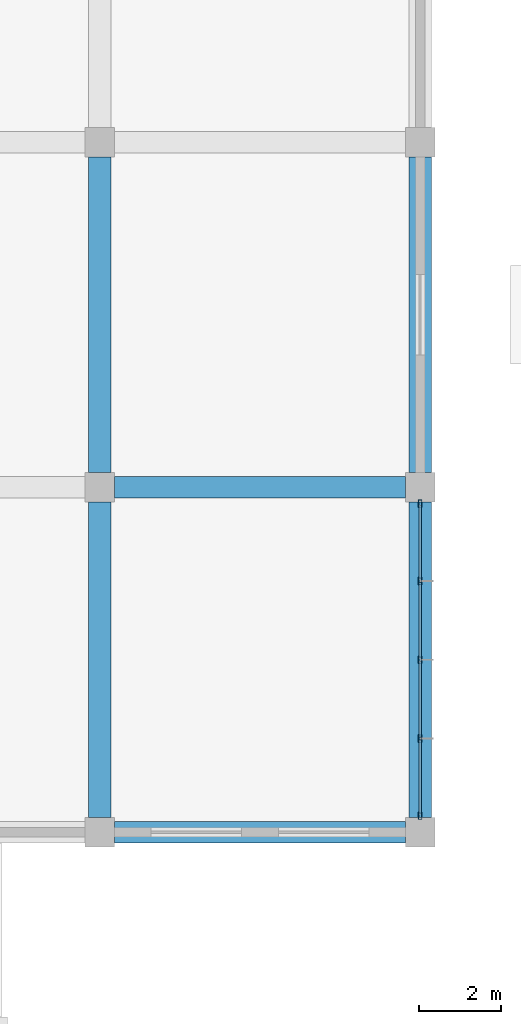
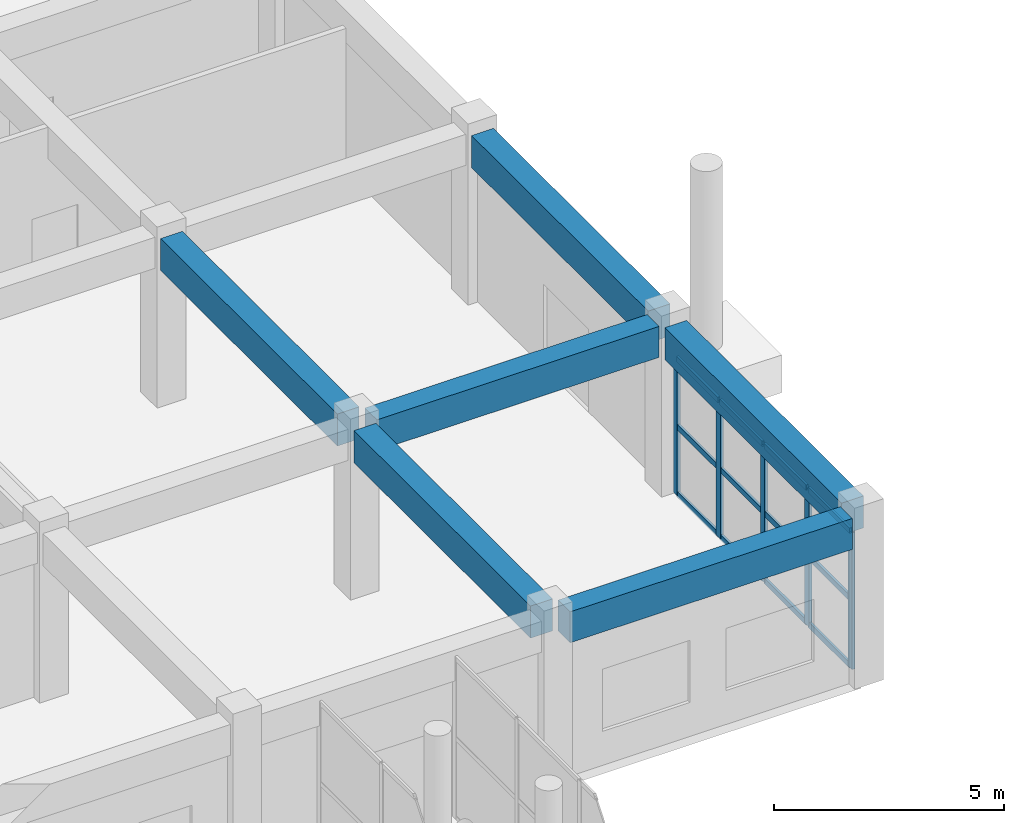
# One storey, part 69 of 139: 17 members, 6 beams, 1 element without a shape of its own.
"""IFC4 building model written with IfcOpenShell, lengths in metres."""

from ifc_helpers import new_model, si_unit, direction, frame, origin, origin_2d, place, context, subcontext, project, spatial, rectangle, hollow_rectangle, extrude, material, layer, layer_set, material_profile, profile_set, type_object, element, aggregate, save


model = new_model("IFC4")

# Units and contexts
model_context = context("Model", 3, precision=1e-05, world=origin(), true_north=direction((0.0, 1.0)))
body_context = subcontext(model_context, "Body", "Model", "MODEL_VIEW")
ifc_project = project(units=[si_unit("LENGTHUNIT", "METRE"), si_unit("AREAUNIT", "SQUARE_METRE"), si_unit("VOLUMEUNIT", "CUBIC_METRE"), si_unit("PLANEANGLEUNIT", "RADIAN"), si_unit("MASSUNIT", "GRAM", prefix="KILO")], contexts=[model_context])

# Site, building, storey
site_placement = place(None, origin())
site = spatial("IfcSite", under=ifc_project, at=site_placement, CompositionType="ELEMENT")
building_placement = place(site_placement, origin())
building = spatial("IfcBuilding", under=site, at=building_placement, Name="Zizhar Promenade General Hospital", CompositionType="ELEMENT")
storey_placement = place(building_placement, origin())
storey = spatial("IfcBuildingStorey", under=building, at=storey_placement, Name="L00", CompositionType="ELEMENT", Elevation=0.0)

# Beams
ifc_material_1 = material(Name="Concrete C35/45", Category="concrete")
ifc_material_profile_1 = material_profile(ifc_material_1, rectangle(XDim=0.52001953125, YDim=0.820068359375, at=origin_2d()))
ifc_profile_set_1 = profile_set([ifc_material_profile_1], Name="Concrete C35/45")
beam_type_1 = type_object("IfcBeamType", Name="BM-RC-520x820", PredefinedType="BEAM", material=ifc_profile_set_1)
for number, where, z_axis, x_axis, name in (
    (1, (187.56005859375, 42.0, 4.06005859375), (1.0, 0.0, 0.0), (0.0, 1.0, 0.0), "Grid Beam X L00 (24-5)"),
    (2, (187.56005859375, 50.39990234375, 4.06005859375), (1.0, 0.0, 0.0), (0.0, 1.0, 0.0), "Grid Beam X L00 (24-6)"),
):
    element("IfcBeam", number, at=place(storey_placement, frame(where, z_axis=z_axis, x_axis=x_axis)), inside=storey, type_object=beam_type_1, Name=name, PredefinedType="BEAM", context=body_context, shape_type="SweptSolid", body=[
        extrude(rectangle(XDim=0.52001953125, YDim=0.820068359375, at=origin_2d()), origin(), (0.0, 0.0, 1.0), 7.079833984375),
    ])
ifc_material_2 = material(Name="Concrete C35/45", Category="concrete")
ifc_material_profile_2 = material_profile(ifc_material_2, rectangle(XDim=0.550048828125, YDim=0.85009765625, at=origin_2d()))
ifc_profile_set_2 = profile_set([ifc_material_profile_2], Name="Concrete C35/45")
beam_type_2 = type_object("IfcBeamType", Name="BM-RC-550x850", PredefinedType="BEAM", material=ifc_profile_set_2)
for number, where, z_axis, x_axis, name in (
    (3, (187.199951171875, 42.360107421875, 4.044921875), (0.0, 1.0, 0.0), (-1.0, 0.0, 0.0), "Grid Beam Y L00 (24-5)"),
    (4, (187.199951171875, 50.760009765625, 4.044921875), (0.0, 1.0, 0.0), (-1.0, 0.0, 0.0), "Grid Beam Y L00 (24-6)"),
    (5, (195.0, 42.360107421875, 4.044921875), (0.0, 1.0, 0.0), (-1.0, 0.0, 0.0), "Grid Beam Y L00 (25-5)"),
    (6, (195.0, 50.760009765625, 4.044921875), (0.0, 1.0, 0.0), (-1.0, 0.0, 0.0), "Grid Beam Y L00 (25-6)"),
):
    element("IfcBeam", number, at=place(storey_placement, frame(where, z_axis=z_axis, x_axis=x_axis)), inside=storey, type_object=beam_type_2, Name=name, PredefinedType="BEAM", context=body_context, shape_type="SweptSolid", body=[
        extrude(rectangle(XDim=0.550048828125, YDim=0.85009765625, at=origin_2d()), origin(), (0.0, 0.0, 1.0), 7.679931640625),
    ])

# Curtain wall, members
ifc_material_3 = material(Name="Anodised aluminium 6063-T6 and low-E glass", Category="aluminium")
ifc_layer = layer(ifc_material_3, 0.159912109375)
ifc_layer_set = layer_set([ifc_layer], Name="Anodised aluminium 6063-T6 and low-E glass")
curtain_wall_type = type_object("IfcCurtainWallType", Name="CW-CLN-EXT", PredefinedType="NOTDEFINED", material=ifc_layer_set)
curtain_wall_placement = place(storey_placement, origin())
curtain_wall = element("IfcCurtainWall", 7, at=curtain_wall_placement, inside=storey, type_object=curtain_wall_type, Name="Outpatient East Curtain Wall L00-5", PredefinedType="NOTDEFINED")
ifc_material_4 = material(Name="Anodised aluminium 6063-T6", Category="aluminium")
ifc_material_profile_3 = material_profile(ifc_material_4, hollow_rectangle(XDim=0.080078125, YDim=0.179931640625, WallThickness=0.0048828125, at=origin_2d()))
ifc_profile_set_3 = profile_set([ifc_material_profile_3], Name="Anodised aluminium 6063-T6")
member_type_1 = type_object("IfcMemberType", Name="CWM-ALU-180x80", PredefinedType="MULLION", material=ifc_profile_set_3)
member_1_placement = place(storey_placement, frame((195.0, 50.0, 0.0), z_axis=(0.0, 0.0, 1.0), x_axis=(1.0, 0.0, 0.0)))
member_1 = element("IfcMember", 8, at=member_1_placement, type_object=member_type_1, Name="CW-09 mullion 1", PredefinedType="MULLION", context=body_context, shape_type="SweptSolid", body=[
    extrude(hollow_rectangle(XDim=0.080078125, YDim=0.179931640625, WallThickness=0.0048828125, at=origin_2d()), origin(), (0.0, 0.0, 1.0), 3.6298828125),
])
member_2_placement = place(storey_placement, frame((195.0, 48.1201171875, 0.0), z_axis=(0.0, 0.0, 1.0), x_axis=(1.0, 0.0, 0.0)))
member_2 = element("IfcMember", 9, at=member_2_placement, type_object=member_type_1, Name="CW-09 mullion 2", PredefinedType="MULLION", context=body_context, shape_type="SweptSolid", body=[
    extrude(hollow_rectangle(XDim=0.080078125, YDim=0.179931640625, WallThickness=0.0048828125, at=origin_2d()), origin(), (0.0, 0.0, 1.0), 3.6298828125),
])
member_3_placement = place(storey_placement, frame((195.0, 46.199951171875, 0.0), z_axis=(0.0, 0.0, 1.0), x_axis=(1.0, 0.0, 0.0)))
member_3 = element("IfcMember", 10, at=member_3_placement, type_object=member_type_1, Name="CW-09 mullion 3", PredefinedType="MULLION", context=body_context, shape_type="SweptSolid", body=[
    extrude(hollow_rectangle(XDim=0.080078125, YDim=0.179931640625, WallThickness=0.0048828125, at=origin_2d()), origin(), (0.0, 0.0, 1.0), 3.6298828125),
])
member_4_placement = place(storey_placement, frame((195.0, 44.280029296875, 0.0), z_axis=(0.0, 0.0, 1.0), x_axis=(1.0, 0.0, 0.0)))
member_4 = element("IfcMember", 11, at=member_4_placement, type_object=member_type_1, Name="CW-09 mullion 4", PredefinedType="MULLION", context=body_context, shape_type="SweptSolid", body=[
    extrude(hollow_rectangle(XDim=0.080078125, YDim=0.179931640625, WallThickness=0.0048828125, at=origin_2d()), origin(), (0.0, 0.0, 1.0), 3.6298828125),
])
member_5_placement = place(storey_placement, frame((195.0, 42.39990234375, 0.0), z_axis=(0.0, 0.0, 1.0), x_axis=(1.0, 0.0, 0.0)))
member_5 = element("IfcMember", 12, at=member_5_placement, type_object=member_type_1, Name="CW-09 mullion 5", PredefinedType="MULLION", context=body_context, shape_type="SweptSolid", body=[
    extrude(hollow_rectangle(XDim=0.080078125, YDim=0.179931640625, WallThickness=0.0048828125, at=origin_2d()), origin(), (0.0, 0.0, 1.0), 3.6298828125),
])
ifc_material_5 = material(Name="Anodised aluminium 6063-T6", Category="aluminium")
ifc_material_profile_4 = material_profile(ifc_material_5, hollow_rectangle(XDim=0.06005859375, YDim=0.14990234375, WallThickness=0.00390625, at=origin_2d()))
ifc_profile_set_4 = profile_set([ifc_material_profile_4], Name="Anodised aluminium 6063-T6")
member_type_2 = type_object("IfcMemberType", Name="CWT-ALU-150x60", PredefinedType="USERDEFINED", material=ifc_profile_set_4)
member_6_placement = place(storey_placement, frame((195.0, 49.9599609375, 0.030029296875), z_axis=(0.0, -1.0, 0.0), x_axis=(1.0, 0.0, 0.0)))
member_6 = element("IfcMember", 13, at=member_6_placement, type_object=member_type_2, Name="CW-09 transom 1.1", ObjectType="TRANSOM", PredefinedType="USERDEFINED", context=body_context, shape_type="SweptSolid", body=[
    extrude(hollow_rectangle(XDim=0.06005859375, YDim=0.14990234375, WallThickness=0.00390625, at=origin_2d()), origin(), (0.0, 0.0, 1.0), 1.800048828125),
])
member_7_placement = place(storey_placement, frame((195.0, 49.9599609375, 1.81494140625), z_axis=(0.0, -1.0, 0.0), x_axis=(1.0, 0.0, 0.0)))
member_7 = element("IfcMember", 14, at=member_7_placement, type_object=member_type_2, Name="CW-09 transom 1.2", ObjectType="TRANSOM", PredefinedType="USERDEFINED", context=body_context, shape_type="SweptSolid", body=[
    extrude(hollow_rectangle(XDim=0.06005859375, YDim=0.14990234375, WallThickness=0.00390625, at=origin_2d()), origin(), (0.0, 0.0, 1.0), 1.800048828125),
])
member_8_placement = place(storey_placement, frame((195.0, 49.9599609375, 3.60009765625), z_axis=(0.0, -1.0, 0.0), x_axis=(1.0, 0.0, 0.0)))
member_8 = element("IfcMember", 15, at=member_8_placement, type_object=member_type_2, Name="CW-09 transom 1.3", ObjectType="TRANSOM", PredefinedType="USERDEFINED", context=body_context, shape_type="SweptSolid", body=[
    extrude(hollow_rectangle(XDim=0.06005859375, YDim=0.14990234375, WallThickness=0.00390625, at=origin_2d()), origin(), (0.0, 0.0, 1.0), 1.800048828125),
])
member_9_placement = place(storey_placement, frame((195.0, 48.080078125, 0.030029296875), z_axis=(0.0, -1.0, 0.0), x_axis=(1.0, 0.0, 0.0)))
member_9 = element("IfcMember", 16, at=member_9_placement, type_object=member_type_2, Name="CW-09 transom 2.1", ObjectType="TRANSOM", PredefinedType="USERDEFINED", context=body_context, shape_type="SweptSolid", body=[
    extrude(hollow_rectangle(XDim=0.06005859375, YDim=0.14990234375, WallThickness=0.00390625, at=origin_2d()), origin(), (0.0, 0.0, 1.0), 1.840087890625),
])
member_10_placement = place(storey_placement, frame((195.0, 48.080078125, 1.81494140625), z_axis=(0.0, -1.0, 0.0), x_axis=(1.0, 0.0, 0.0)))
member_10 = element("IfcMember", 17, at=member_10_placement, type_object=member_type_2, Name="CW-09 transom 2.2", ObjectType="TRANSOM", PredefinedType="USERDEFINED", context=body_context, shape_type="SweptSolid", body=[
    extrude(hollow_rectangle(XDim=0.06005859375, YDim=0.14990234375, WallThickness=0.00390625, at=origin_2d()), origin(), (0.0, 0.0, 1.0), 1.840087890625),
])
member_11_placement = place(storey_placement, frame((195.0, 48.080078125, 3.60009765625), z_axis=(0.0, -1.0, 0.0), x_axis=(1.0, 0.0, 0.0)))
member_11 = element("IfcMember", 18, at=member_11_placement, type_object=member_type_2, Name="CW-09 transom 2.3", ObjectType="TRANSOM", PredefinedType="USERDEFINED", context=body_context, shape_type="SweptSolid", body=[
    extrude(hollow_rectangle(XDim=0.06005859375, YDim=0.14990234375, WallThickness=0.00390625, at=origin_2d()), origin(), (0.0, 0.0, 1.0), 1.840087890625),
])
member_12_placement = place(storey_placement, frame((195.0, 46.159912109375, 0.030029296875), z_axis=(0.0, -1.0, 0.0), x_axis=(1.0, 0.0, 0.0)))
member_12 = element("IfcMember", 19, at=member_12_placement, type_object=member_type_2, Name="CW-09 transom 3.1", ObjectType="TRANSOM", PredefinedType="USERDEFINED", context=body_context, shape_type="SweptSolid", body=[
    extrude(hollow_rectangle(XDim=0.06005859375, YDim=0.14990234375, WallThickness=0.00390625, at=origin_2d()), origin(), (0.0, 0.0, 1.0), 1.83984375),
])
member_13_placement = place(storey_placement, frame((195.0, 46.159912109375, 1.81494140625), z_axis=(0.0, -1.0, 0.0), x_axis=(1.0, 0.0, 0.0)))
member_13 = element("IfcMember", 20, at=member_13_placement, type_object=member_type_2, Name="CW-09 transom 3.2", ObjectType="TRANSOM", PredefinedType="USERDEFINED", context=body_context, shape_type="SweptSolid", body=[
    extrude(hollow_rectangle(XDim=0.06005859375, YDim=0.14990234375, WallThickness=0.00390625, at=origin_2d()), origin(), (0.0, 0.0, 1.0), 1.83984375),
])
member_14_placement = place(storey_placement, frame((195.0, 46.159912109375, 3.60009765625), z_axis=(0.0, -1.0, 0.0), x_axis=(1.0, 0.0, 0.0)))
member_14 = element("IfcMember", 21, at=member_14_placement, type_object=member_type_2, Name="CW-09 transom 3.3", ObjectType="TRANSOM", PredefinedType="USERDEFINED", context=body_context, shape_type="SweptSolid", body=[
    extrude(hollow_rectangle(XDim=0.06005859375, YDim=0.14990234375, WallThickness=0.00390625, at=origin_2d()), origin(), (0.0, 0.0, 1.0), 1.83984375),
])
member_15_placement = place(storey_placement, frame((195.0, 44.239990234375, 0.030029296875), z_axis=(0.0, -1.0, 0.0), x_axis=(1.0, 0.0, 0.0)))
member_15 = element("IfcMember", 22, at=member_15_placement, type_object=member_type_2, Name="CW-09 transom 4.1", ObjectType="TRANSOM", PredefinedType="USERDEFINED", context=body_context, shape_type="SweptSolid", body=[
    extrude(hollow_rectangle(XDim=0.06005859375, YDim=0.14990234375, WallThickness=0.00390625, at=origin_2d()), origin(), (0.0, 0.0, 1.0), 1.800048828125),
])
member_16_placement = place(storey_placement, frame((195.0, 44.239990234375, 1.81494140625), z_axis=(0.0, -1.0, 0.0), x_axis=(1.0, 0.0, 0.0)))
member_16 = element("IfcMember", 23, at=member_16_placement, type_object=member_type_2, Name="CW-09 transom 4.2", ObjectType="TRANSOM", PredefinedType="USERDEFINED", context=body_context, shape_type="SweptSolid", body=[
    extrude(hollow_rectangle(XDim=0.06005859375, YDim=0.14990234375, WallThickness=0.00390625, at=origin_2d()), origin(), (0.0, 0.0, 1.0), 1.800048828125),
])
member_17_placement = place(storey_placement, frame((195.0, 44.239990234375, 3.60009765625), z_axis=(0.0, -1.0, 0.0), x_axis=(1.0, 0.0, 0.0)))
member_17 = element("IfcMember", 24, at=member_17_placement, type_object=member_type_2, Name="CW-09 transom 4.3", ObjectType="TRANSOM", PredefinedType="USERDEFINED", context=body_context, shape_type="SweptSolid", body=[
    extrude(hollow_rectangle(XDim=0.06005859375, YDim=0.14990234375, WallThickness=0.00390625, at=origin_2d()), origin(), (0.0, 0.0, 1.0), 1.800048828125),
])
aggregate(curtain_wall, [member_1, member_2, member_3, member_4, member_5, member_6, member_7, member_8, member_9, member_10, member_11, member_12, member_13, member_14, member_15, member_16, member_17])

save(model, "model.ifc")
